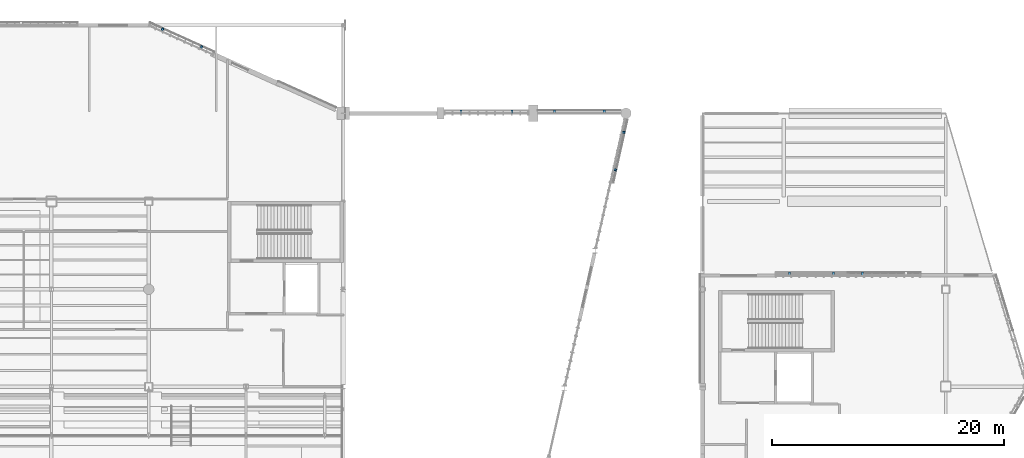
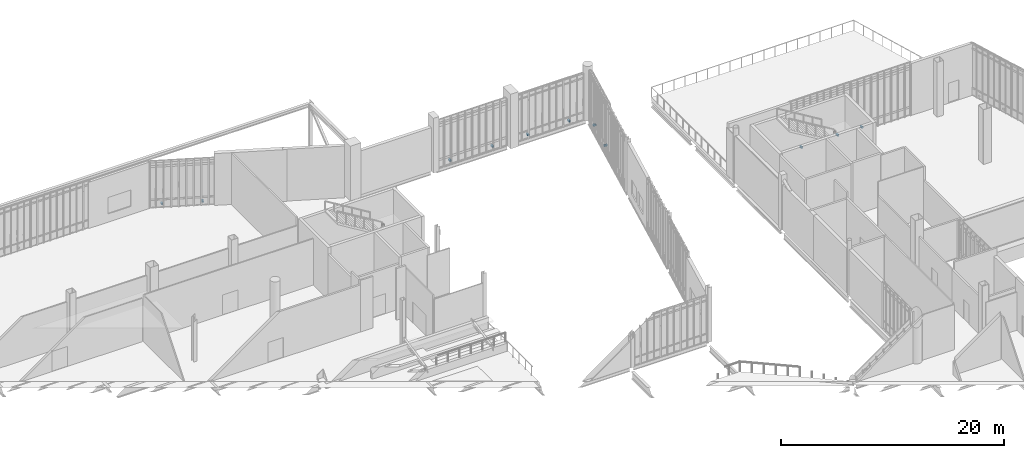
# One storey, part 119 of 135: 11 discrete accessories.
"""IFC4 building model written with IfcOpenShell, lengths in metres."""

from ifc_helpers import new_model, si_unit, direction, frame, origin, origin_2d, place, context, subcontext, project, spatial, rectangle, extrude, material, layer, layer_set, type_object, element, save


model = new_model("IFC4")

# Units and contexts
model_context = context("Model", 3, precision=1e-05, world=origin(), true_north=direction((0.0, 1.0)))
body_context = subcontext(model_context, "Body", "Model", "MODEL_VIEW")
ifc_project = project(units=[si_unit("LENGTHUNIT", "METRE"), si_unit("AREAUNIT", "SQUARE_METRE"), si_unit("VOLUMEUNIT", "CUBIC_METRE"), si_unit("PLANEANGLEUNIT", "RADIAN"), si_unit("MASSUNIT", "GRAM", prefix="KILO")], contexts=[model_context])

# Site, building, storey
site_placement = place(None, origin())
site = spatial("IfcSite", under=ifc_project, at=site_placement, CompositionType="ELEMENT")
building_placement = place(site_placement, origin())
building = spatial("IfcBuilding", under=site, at=building_placement, Name="Larkvane Passage Sports Hall", CompositionType="ELEMENT")
storey_placement = place(building_placement, frame((0.0, 0.0, 10.800048828125)))
storey = spatial("IfcBuildingStorey", under=building, at=storey_placement, Name="L02", CompositionType="ELEMENT", Elevation=10.800048828125)

# Discrete accessories
ifc_material = material(Name="Steel S355JR", Category="steel")
ifc_layer = layer(ifc_material, 0.179931640625)
ifc_layer_set = layer_set([ifc_layer], Name="Steel S355JR")
discrete_accessory_type = type_object("IfcDiscreteAccessoryType", Name="ACC-BRACKET-STL", PredefinedType="BRACKET", material=ifc_layer_set)
for number, where, z_axis, x_axis, name in (
    (1, (132.1298828125, 85.320068359375, 0.259765625), (0.0, 0.0, 1.0), (1.0, 0.0, 0.0), "Veil outrigger bracket L02-045-1"),
    (2, (135.89501953125, 85.320068359375, 0.259765625), (0.0, 0.0, 1.0), (1.0, 0.0, 0.0), "Veil outrigger bracket L02-045-2"),
    (3, (138.405029296875, 85.320068359375, 0.259765625), (0.0, 0.0, 1.0), (1.0, 0.0, 0.0), "Veil outrigger bracket L02-046-1"),
    (4, (77.969482421875, 106.402587890625, 0.259765625), (0.0, 0.0, 1.0), (0.911107922836, -0.41216786986, 0.0), "Veil outrigger bracket L02-056-1"),
    (5, (81.329345703125, 104.882568359375, 0.259765625), (0.0, 0.0, 1.0), (0.911107922836, -0.41216786986, 0.0), "Veil outrigger bracket L02-056-2"),
    (6, (103.757568359375, 99.320068359375, 0.259765625), (0.0, 0.0, 1.0), (1.0, 0.0, 0.0), "Veil outrigger bracket L02-057-1"),
    (7, (108.142333984375, 99.320068359375, 0.259765625), (0.0, 0.0, 1.0), (1.0, 0.0, 0.0), "Veil outrigger bracket L02-057-2"),
    (8, (111.82763671875, 99.320068359375, 0.259765625), (0.0, 0.0, 1.0), (1.0, 0.0, 0.0), "Veil outrigger bracket L02-058-1"),
    (9, (116.122314453125, 99.320068359375, 0.259765625), (0.0, 0.0, 1.0), (1.0, 0.0, 0.0), "Veil outrigger bracket L02-058-2"),
    (10, (117.756591796875, 97.570068359375, 0.259765625), (0.0, 0.0, 1.0), (-0.21925132906, -0.975668414322, 0.0), "Veil outrigger bracket L02-059-1"),
    (11, (117.026611328125, 94.3212890625, 0.259765625), (0.0, 0.0, 1.0), (-0.21925132906, -0.975668414322, 0.0), "Veil outrigger bracket L02-059-2"),
):
    element("IfcDiscreteAccessory", number, at=place(storey_placement, frame(where, z_axis=z_axis, x_axis=x_axis)), inside=storey, type_object=discrete_accessory_type, Name=name, PredefinedType="BRACKET", context=body_context, shape_type="SweptSolid", body=[
        extrude(rectangle(XDim=0.179931640625, YDim=0.320068359375, at=origin_2d()), origin(), (0.0, 0.0, 1.0), 0.179931640625),
    ])

save(model, "model.ifc")
